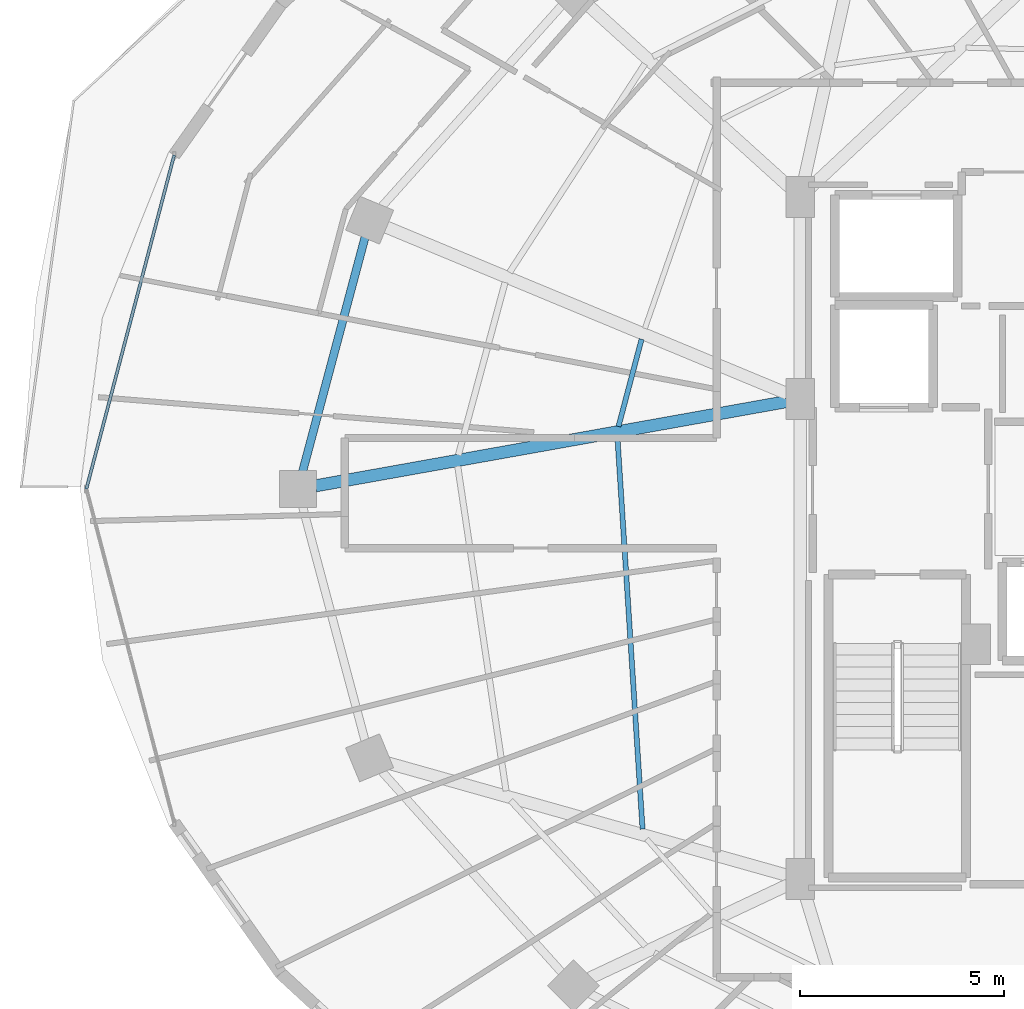
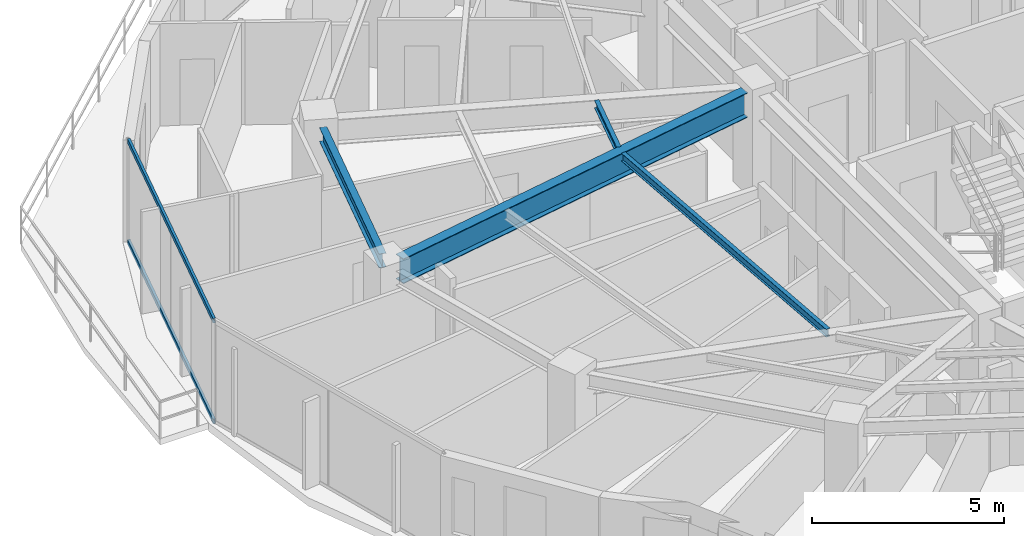
# One storey, part 8 of 33: 4 beams, 2 members, 1 element without a shape of its own.
"""IFC4 building model written with IfcOpenShell, lengths in metres."""

from ifc_helpers import new_model, si_unit, direction, frame, origin, origin_2d, place, context, subcontext, project, spatial, hollow_rectangle, i_section, extrude, material, material_profile, profile_set, type_object, element, aggregate, save


model = new_model("IFC4")

# Units and contexts
model_context = context("Model", 3, precision=1e-05, world=origin(), true_north=direction((0.0, 1.0)))
body_context = subcontext(model_context, "Body", "Model", "MODEL_VIEW")
ifc_project = project(units=[si_unit("LENGTHUNIT", "METRE"), si_unit("AREAUNIT", "SQUARE_METRE"), si_unit("VOLUMEUNIT", "CUBIC_METRE"), si_unit("PLANEANGLEUNIT", "RADIAN"), si_unit("MASSUNIT", "GRAM", prefix="KILO")], contexts=[model_context])

# Site, building, storey
site_placement = place(None, origin())
site = spatial("IfcSite", under=ifc_project, at=site_placement, CompositionType="ELEMENT")
building_placement = place(site_placement, origin())
building = spatial("IfcBuilding", under=site, at=building_placement, Name="Vorneva Point Tower", CompositionType="ELEMENT")
storey_placement = place(building_placement, frame((0.0, 0.0, 196.60009765625)))
storey = spatial("IfcBuildingStorey", under=building, at=storey_placement, Name="L53", CompositionType="ELEMENT", Elevation=196.60009765625)

# Beams
ifc_material_1 = material(Name="Steel S355", Category="steel")
ifc_material_profile_1 = material_profile(ifc_material_1, i_section(OverallWidth=0.300048828125, OverallDepth=0.7880859375, WebThickness=0.014404296875, FlangeThickness=0.02197265625, at=origin_2d()), Name="80Sh1")
ifc_profile_set_1 = profile_set([ifc_material_profile_1], Name="Steel S355")
beam_type_1 = type_object("IfcBeamType", Name="BM-GRD-80Sh1", PredefinedType="USERDEFINED", material=ifc_profile_set_1)
beam_1_placement = place(storey_placement, frame((15.381103515625, 26.0771484375, 2.845947265625), z_axis=(0.984378602255, 0.176064668298, 0.0), x_axis=(-0.176064668298, 0.984378602255, 0.0)))
element("IfcBeam", 1, at=beam_1_placement, inside=storey, type_object=beam_type_1, Name="L53 Radial Primary Girder 09", ObjectType="GIRDER", PredefinedType="USERDEFINED", context=body_context, shape_type="SweptSolid", body=[
    extrude(i_section(OverallWidth=0.300048828125, OverallDepth=0.7880859375, WebThickness=0.014404296875, FlangeThickness=0.02197265625, at=origin_2d()), origin(), (0.0, 0.0, 1.0), 11.71728515625),
])
ifc_material_profile_2 = material_profile(ifc_material_1, i_section(OverallWidth=0.1240234375, OverallDepth=0.248046875, WebThickness=0.0048828125, FlangeThickness=0.008056640625, at=origin_2d()), Name="25B1")
ifc_profile_set_2 = profile_set([ifc_material_profile_2], Name="Steel S355")
beam_type_2 = type_object("IfcBeamType", Name="BM-JST-25B1", PredefinedType="JOIST", material=ifc_profile_set_2)
beam_2_placement = place(storey_placement, frame((23.363037109375, 29.667236328125, 3.115966796875), z_axis=(-0.255537260645, -0.966799207913, 0.0), x_axis=(0.966799207913, -0.255537260645, 0.0)))
element("IfcBeam", 2, at=beam_2_placement, inside=storey, type_object=beam_type_2, Name="L53 Secondary Floor Beam 2.08", PredefinedType="JOIST", context=body_context, shape_type="SweptSolid", body=[
    extrude(i_section(OverallWidth=0.1240234375, OverallDepth=0.248046875, WebThickness=0.0048828125, FlangeThickness=0.008056640625, at=origin_2d()), origin(), (0.0, 0.0, 1.0), 2.2099609375),
])
beam_3_placement = place(storey_placement, frame((22.77197265625, 27.259765625, 3.115966796875), z_axis=(0.064039403471, -0.997947370758, 0.0), x_axis=(0.997947370758, 0.064039403471, 0.0)))
element("IfcBeam", 3, at=beam_3_placement, inside=storey, type_object=beam_type_2, Name="L53 Secondary Floor Beam 2.09", PredefinedType="JOIST", context=body_context, shape_type="SweptSolid", body=[
    extrude(i_section(OverallWidth=0.1240234375, OverallDepth=0.248046875, WebThickness=0.0048828125, FlangeThickness=0.008056640625, at=origin_2d()), origin(), (0.0, 0.0, 1.0), 9.607177734375),
])
ifc_material_profile_3 = material_profile(ifc_material_1, i_section(OverallWidth=0.198974609375, OverallDepth=0.446044921875, WebThickness=0.008056640625, FlangeThickness=0.011962890625, at=origin_2d()), Name="45B1")
ifc_profile_set_3 = profile_set([ifc_material_profile_3], Name="Steel S355")
beam_type_3 = type_object("IfcBeamType", Name="BM-SPN-45B1", PredefinedType="SPANDREL", material=ifc_profile_set_3)
beam_4_placement = place(storey_placement, frame((16.592529296875, 32.161865234375, 3.016845703125), z_axis=(-0.257578258003, -0.966257440336, 0.0), x_axis=(0.966257440336, -0.257578258003, 0.0)))
element("IfcBeam", 4, at=beam_4_placement, inside=storey, type_object=beam_type_3, Name="L53 Perimeter Spandrel Ring Beam 08", PredefinedType="SPANDREL", context=body_context, shape_type="SweptSolid", body=[
    extrude(i_section(OverallWidth=0.198974609375, OverallDepth=0.446044921875, WebThickness=0.008056640625, FlangeThickness=0.011962890625, at=origin_2d()), origin(), (0.0, 0.0, 1.0), 5.94189453125),
])

# Curtain wall, members
ifc_material_2 = material(Name="Pale anodised aluminium", Category="aluminium")
curtain_wall_type = type_object("IfcCurtainWallType", Name="CW-RES-SYS", PredefinedType="NOTDEFINED", material=ifc_material_2)
curtain_wall_placement = place(storey_placement, origin())
curtain_wall = element("IfcCurtainWall", 5, at=curtain_wall_placement, inside=storey, type_object=curtain_wall_type, Name="L53 Unitised Curtain Wall CW-L53-R03", PredefinedType="NOTDEFINED")
ifc_material_profile_4 = material_profile(ifc_material_2, hollow_rectangle(XDim=0.074951171875, YDim=0.14990234375, WallThickness=0.00390625, at=origin_2d()), Name="AL-TRN 150x75x4")
ifc_profile_set_4 = profile_set([ifc_material_profile_4], Name="Pale anodised aluminium")
member_type = type_object("IfcMemberType", Name="CW-TRN-150", PredefinedType="USERDEFINED", material=ifc_profile_set_4)
member_1_placement = place(storey_placement, frame((11.9189453125, 34.17041015625, 0.02001953125), z_axis=(-0.254362431281, -0.967108966742, 0.0), x_axis=(0.967108966742, -0.254362431281, 0.0)))
member_1 = element("IfcMember", 6, at=member_1_placement, type_object=member_type, Name="CW-L53-R03 Transom 01.1", ObjectType="TRANSOM", PredefinedType="USERDEFINED", context=body_context, shape_type="SweptSolid", body=[
    extrude(hollow_rectangle(XDim=0.074951171875, YDim=0.14990234375, WallThickness=0.00390625, at=origin_2d()), origin(), (0.0, 0.0, 1.0), 8.4482421875),
])
member_2_placement = place(storey_placement, frame((11.9189453125, 34.17041015625, 3.219970703125), z_axis=(-0.254362431281, -0.967108966742, 0.0), x_axis=(0.967108966742, -0.254362431281, 0.0)))
member_2 = element("IfcMember", 7, at=member_2_placement, type_object=member_type, Name="CW-L53-R03 Transom 01.2", ObjectType="TRANSOM", PredefinedType="USERDEFINED", context=body_context, shape_type="SweptSolid", body=[
    extrude(hollow_rectangle(XDim=0.074951171875, YDim=0.14990234375, WallThickness=0.00390625, at=origin_2d()), origin(), (0.0, 0.0, 1.0), 8.4482421875),
])
aggregate(curtain_wall, [member_1, member_2])

save(model, "model.ifc")
